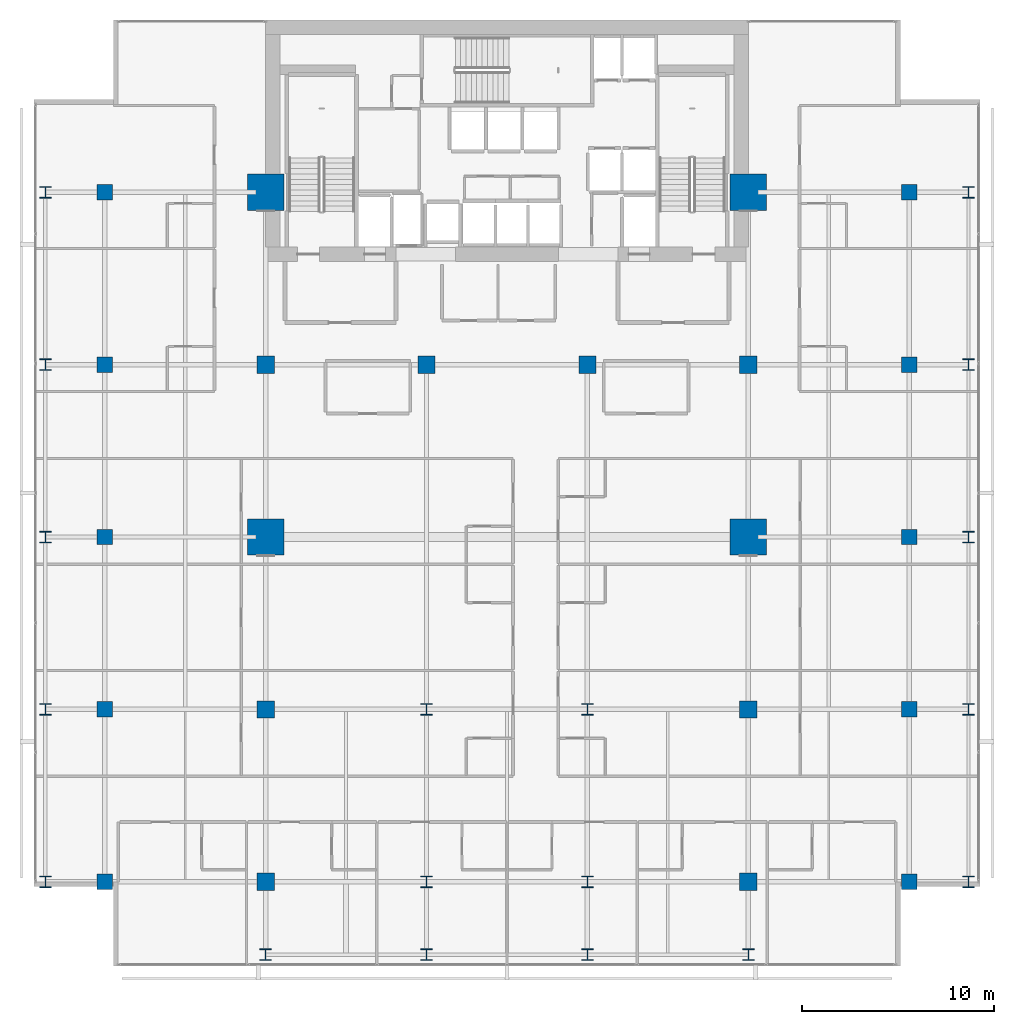
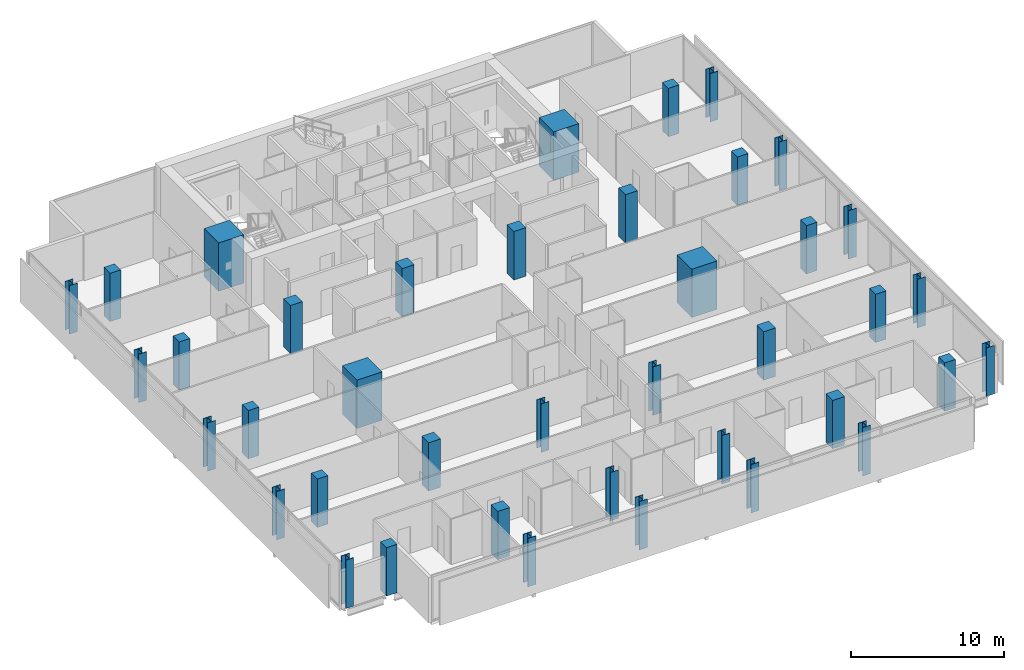
# One storey, part 1 of 33: 40 columns.
"""IFC4 building model written with IfcOpenShell, lengths in metres."""

import ifcopenshell
import ifcopenshell.guid

model = None  # the IFC model being written
_history = None  # IfcOwnerHistory: only IFC2X3 demands one
_inside = {}  # id of a spatial element -> (the spatial element, [elements in it])
_under = {}  # id of a project, library or spatial element -> (it, [spatial elements below it])
_declared = {}  # id of a project -> (the project, [libraries it declares])
_typed = {}  # id of a type object -> (the type object, [elements of that type])
_made_of = {}  # id of a material, layer set ... -> (it, [elements and type objects made of it])


def new_model(schema):
    """Start an empty IFC model of exactly this schema.

    Asked for "IFC4X3", IfcOpenShell would pick the latest addendum, in which some entities
    have other attributes; the version numbers below select the first issue.
    IFC2X3 requires an IfcOwnerHistory on every rooted entity: one is made here for all.
    """
    global model, _history
    if schema == "IFC4X3":
        model = ifcopenshell.file(schema_version=(4, 3, 0, 0))
    else:
        model = ifcopenshell.file(schema=schema)
    _inside.clear()
    _under.clear()
    _declared.clear()
    _typed.clear()
    _made_of.clear()
    _history = None
    if model.schema == "IFC2X3":
        org = make("IfcOrganization", Name="unknown")
        user = make(
            "IfcPersonAndOrganization",
            ThePerson=make("IfcPerson", FamilyName="unknown"),
            TheOrganization=org,
        )
        app = make(
            "IfcApplication",
            ApplicationDeveloper=org,
            Version="unknown",
            ApplicationFullName="unknown",
            ApplicationIdentifier="unknown",
        )
        _history = make(
            "IfcOwnerHistory",
            OwningUser=user,
            OwningApplication=app,
            ChangeAction="ADDED",
            CreationDate=0,
        )
    return model


def make(cls, **values):
    """One entity of the class cls with the attributes given. An attribute that is None is left unset."""
    return model.create_entity(
        cls, **{name: value for name, value in values.items() if value is not None}
    )


def rooted(cls, **values):
    """An entity with a GlobalId (a new one), such as an element, a storey or a relation."""
    return make(cls, GlobalId=ifcopenshell.guid.new(), OwnerHistory=_history, **values)


def si_unit(unit_type, name, prefix=None):
    """IfcSIUnit, for example si_unit("LENGTHUNIT", "METRE", prefix="MILLI")."""
    return make("IfcSIUnit", UnitType=unit_type, Prefix=prefix, Name=name)


def assignment(units):
    """IfcUnitAssignment: the units of a project."""
    return None if units is None else make("IfcUnitAssignment", Units=units)


def point(xyz):
    """IfcCartesianPoint."""
    return None if xyz is None else make("IfcCartesianPoint", Coordinates=xyz)


def direction(xyz):
    """IfcDirection."""
    return None if xyz is None else make("IfcDirection", DirectionRatios=xyz)


def frame(location, z_axis=None, x_axis=None):
    """IfcAxis2Placement3D, a coordinate frame: its origin and axes. An axis left out is left unset."""
    return make(
        "IfcAxis2Placement3D",
        Location=point(location),
        Axis=direction(z_axis),
        RefDirection=direction(x_axis),
    )


def frame_2d(location, x_axis=None):
    """IfcAxis2Placement2D, a coordinate frame in the plane: its origin and x axis."""
    return make(
        "IfcAxis2Placement2D", Location=point(location), RefDirection=direction(x_axis)
    )


def origin():
    """The frame at (0, 0, 0) with its axes left unset."""
    return frame((0.0, 0.0, 0.0))


def origin_2d():
    """The frame at (0, 0) in the plane with its x axis left unset."""
    return frame_2d((0.0, 0.0))


def place(relative_to, where):
    """IfcLocalPlacement: puts the frame where relative to a parent placement (None: the world)."""
    return make(
        "IfcLocalPlacement", PlacementRelTo=relative_to, RelativePlacement=where
    )


def context(
    kind, dimensions, precision=None, world=None, true_north=None, identifier=None
):
    """IfcGeometricRepresentationContext, for example the 3D "Model" context."""
    return make(
        "IfcGeometricRepresentationContext",
        ContextIdentifier=identifier,
        ContextType=kind,
        CoordinateSpaceDimension=dimensions,
        Precision=precision,
        WorldCoordinateSystem=world,
        TrueNorth=true_north,
    )


def subcontext(parent, identifier, kind, view, scale=None):
    """IfcGeometricRepresentationSubContext, for example "Body" below "Model"."""
    return make(
        "IfcGeometricRepresentationSubContext",
        ContextIdentifier=identifier,
        ContextType=kind,
        ParentContext=parent,
        TargetScale=scale,
        TargetView=view,
    )


def project(units=None, contexts=None):
    """IfcProject with its units and contexts."""
    return rooted(
        "IfcProject",
        Name="project",
        RepresentationContexts=contexts,
        UnitsInContext=assignment(units),
    )


def spatial(cls, under=None, at=None, **own):
    """A site, building, storey or space (cls), placed at a placement, below another one or the project."""
    s = rooted(cls, ObjectPlacement=at, **own)
    if under is not None:
        _under.setdefault(under.id(), (under, []))[1].append(s)
    return s


def profile(cls, at=None, kind="AREA", **sizes):
    """A parametric profile (cls). Its sizes go by their IFC names, for example OverallWidth=200.0."""
    return make(cls, ProfileType=kind, Position=at, **sizes)


def rectangle(**sizes):
    """IfcRectangleProfileDef."""
    return profile("IfcRectangleProfileDef", **sizes)


def i_section(**sizes):
    """IfcIShapeProfileDef."""
    return profile("IfcIShapeProfileDef", **sizes)


def extrude(swept, where, along, depth):
    """IfcExtrudedAreaSolid: the profile swept, set in the frame where, extruded along a direction by depth."""
    return make(
        "IfcExtrudedAreaSolid",
        SweptArea=swept,
        Position=where,
        ExtrudedDirection=direction(along),
        Depth=depth,
    )


def shape(context_of_items, identifier, shape_type, items):
    """IfcShapeRepresentation: the items that make up one representation, for example the "Body"."""
    return make(
        "IfcShapeRepresentation",
        ContextOfItems=context_of_items,
        RepresentationIdentifier=identifier,
        RepresentationType=shape_type,
        Items=items,
    )


def material(Name=None, Category=None):
    """IfcMaterial."""
    return make("IfcMaterial", Name=Name, Category=Category)


def material_profile(
    of_material, cross_section, Name=None, Category=None, Priority=None
):
    """IfcMaterialProfile: a cross section and its material."""
    return make(
        "IfcMaterialProfile",
        Name=Name,
        Material=of_material,
        Profile=cross_section,
        Priority=Priority,
        Category=Category,
    )


def profile_set(profiles, Name=None, composite=None):
    """IfcMaterialProfileSet."""
    return make(
        "IfcMaterialProfileSet",
        Name=Name,
        MaterialProfiles=profiles,
        CompositeProfile=composite,
    )


def made_of(thing, what):
    """Note that an element or type object is made of a material, layer set ...; save() writes the relation."""
    if what is not None:
        _made_of.setdefault(what.id(), (what, []))[1].append(thing)
    return thing


def type_object(cls, material=None, **own):
    """A type object (cls), such as IfcWallType, which elements share."""
    return made_of(rooted(cls, **own), material)


def element(
    cls,
    number,
    at=None,
    inside=None,
    cuts=None,
    type_object=None,
    material=None,
    context=None,
    identifier="Body",
    shape_type=None,
    held_by="IfcProductDefinitionShape",
    body=None,
    shapes=None,
    **own,
):
    """One element of the class cls, such as IfcWall. Its Tag is "e" and its number.

    at: its placement. inside: the storey or other place that contains it. cuts: it is an
    opening in that element (IfcRelVoidsElement). A single representation is given by context,
    identifier, shape_type and body (its items); several are given by shapes. held_by: the class
    of the entity that holds the representations. save() writes the other relations.
    """
    e = rooted(cls, Tag="e%d" % number, ObjectPlacement=at, **own)
    if body is not None:
        shapes = [shape(context, identifier, shape_type, body)]
    if shapes is not None:
        e.Representation = make(held_by, Representations=shapes)
    if inside is not None:
        _inside.setdefault(inside.id(), (inside, []))[1].append(e)
    if cuts is not None:
        rooted(
            "IfcRelVoidsElement", RelatingBuildingElement=cuts, RelatedOpeningElement=e
        )
    if type_object is not None:
        _typed.setdefault(type_object.id(), (type_object, []))[1].append(e)
    return made_of(e, material)


def aggregate(whole, parts):
    """IfcRelAggregates: a whole, such as a stair, and the parts it consists of."""
    return rooted("IfcRelAggregates", RelatingObject=whole, RelatedObjects=parts)


def save(model, path):
    """Write the relations noted so far, then the file.

    IfcRelAggregates (storeys below a building ...), IfcRelContainedInSpatialStructure (elements
    in a storey), IfcRelDefinesByType, IfcRelAssociatesMaterial and IfcRelDeclares: one each for
    every whole, place, type object, material and project.
    """
    for whole, parts in _under.values():
        aggregate(whole, parts)
    for where, things in _inside.values():
        rooted(
            "IfcRelContainedInSpatialStructure",
            RelatedElements=things,
            RelatingStructure=where,
        )
    for kind, things in _typed.values():
        rooted("IfcRelDefinesByType", RelatedObjects=things, RelatingType=kind)
    for what, things in _made_of.values():
        rooted("IfcRelAssociatesMaterial", RelatedObjects=things, RelatingMaterial=what)
    for by, libraries in _declared.values():
        rooted("IfcRelDeclares", RelatingContext=by, RelatedDefinitions=libraries)
    model.write(path)


model = new_model("IFC4")

# Units and contexts
model_context = context("Model", 3, precision=1e-05, world=origin(), true_north=direction((0.0, 1.0)))
body_context = subcontext(model_context, "Body", "Model", "MODEL_VIEW")
ifc_project = project(units=[si_unit("LENGTHUNIT", "METRE"), si_unit("AREAUNIT", "SQUARE_METRE"), si_unit("VOLUMEUNIT", "CUBIC_METRE"), si_unit("PLANEANGLEUNIT", "RADIAN"), si_unit("MASSUNIT", "GRAM", prefix="KILO")], contexts=[model_context])

# Site, building, storey
site_placement = place(None, origin())
site = spatial("IfcSite", under=ifc_project, at=site_placement, CompositionType="ELEMENT")
building_placement = place(site_placement, origin())
building = spatial("IfcBuilding", under=site, at=building_placement, Name="Maruvema Waterfront Hotel and Observation Tower", CompositionType="ELEMENT")
storey_placement = place(building_placement, frame((0.0, 0.0, 158.199951171875)))
storey = spatial("IfcBuildingStorey", under=building, at=storey_placement, Name="L38", CompositionType="ELEMENT", Elevation=158.199951171875)

# Columns
ifc_material_1 = material(Name="Concrete C80/95", Category="concrete")
ifc_material_profile_1 = material_profile(ifc_material_1, rectangle(XDim=1.89990234375, YDim=1.89990234375, at=origin_2d()), Name="MC1900x1900")
ifc_profile_set_1 = profile_set([ifc_material_profile_1], Name="Concrete C80/95")
column_type_1 = type_object("IfcColumnType", Name="Continuous Mega-Column MC1900x1900", PredefinedType="COLUMN", material=ifc_profile_set_1)
for number, where, z_axis, x_axis, name in (
    (1, (25.199951171875, 27.0, 0.0), (0.0, 0.0, 1.0), (1.0, 0.0, 0.0), "L38 Continuous Mega-Column MC-01"),
    (2, (50.39990234375, 27.0, 0.0), (0.0, 0.0, 1.0), (1.0, 0.0, 0.0), "L38 Continuous Mega-Column MC-02"),
    (3, (25.199951171875, 45.0, 0.0), (0.0, 0.0, 1.0), (1.0, 0.0, 0.0), "L38 Continuous Mega-Column MC-03"),
    (4, (50.39990234375, 45.0, 0.0), (0.0, 0.0, 1.0), (1.0, 0.0, 0.0), "L38 Continuous Mega-Column MC-04"),
):
    element("IfcColumn", number, at=place(storey_placement, frame(where, z_axis=z_axis, x_axis=x_axis)), inside=storey, type_object=column_type_1, Name=name, PredefinedType="COLUMN", context=body_context, shape_type="SweptSolid", body=[
        extrude(rectangle(XDim=1.89990234375, YDim=1.89990234375, at=origin_2d()), origin(), (0.0, 0.0, 1.0), 3.85009765625),
    ])
ifc_material_2 = material(Name="Concrete C60/75", Category="concrete")
ifc_material_profile_2 = material_profile(ifc_material_2, rectangle(XDim=0.800048828125, YDim=0.800048828125, at=origin_2d()), Name="RC800x800")
ifc_profile_set_2 = profile_set([ifc_material_profile_2], Name="Concrete C60/75")
column_type_2 = type_object("IfcColumnType", Name="Reinforced Concrete Column RC800x800", PredefinedType="COLUMN", material=ifc_profile_set_2)
for number, where, z_axis, x_axis, name in (
    (5, (16.800048828125, 9.0, 0.0), (0.0, 0.0, 1.0), (1.0, 0.0, 0.0), "L38 Column C-3Y9"),
    (6, (58.800048828125, 9.0, 0.0), (0.0, 0.0, 1.0), (1.0, 0.0, 0.0), "L38 Column C-8Y9"),
    (7, (16.800048828125, 18.0, 0.0), (0.0, 0.0, 1.0), (1.0, 0.0, 0.0), "L38 Column C-3Y18"),
    (8, (58.800048828125, 18.0, 0.0), (0.0, 0.0, 1.0), (1.0, 0.0, 0.0), "L38 Column C-8Y18"),
    (9, (16.800048828125, 27.0, 0.0), (0.0, 0.0, 1.0), (1.0, 0.0, 0.0), "L38 Column C-3Y27"),
    (10, (58.800048828125, 27.0, 0.0), (0.0, 0.0, 1.0), (1.0, 0.0, 0.0), "L38 Column C-8Y27"),
    (11, (16.800048828125, 36.0, 0.0), (0.0, 0.0, 1.0), (1.0, 0.0, 0.0), "L38 Column C-3Y36"),
    (12, (58.800048828125, 36.0, 0.0), (0.0, 0.0, 1.0), (1.0, 0.0, 0.0), "L38 Column C-8Y36"),
    (13, (16.800048828125, 45.0, 0.0), (0.0, 0.0, 1.0), (1.0, 0.0, 0.0), "L38 Column C-3Y45"),
    (14, (58.800048828125, 45.0, 0.0), (0.0, 0.0, 1.0), (1.0, 0.0, 0.0), "L38 Column C-8Y45"),
):
    element("IfcColumn", number, at=place(storey_placement, frame(where, z_axis=z_axis, x_axis=x_axis)), inside=storey, type_object=column_type_2, Name=name, PredefinedType="COLUMN", context=body_context, shape_type="SweptSolid", body=[
        extrude(rectangle(XDim=0.800048828125, YDim=0.800048828125, at=origin_2d()), origin(), (0.0, 0.0, 1.0), 3.85009765625),
    ])
ifc_material_3 = material(Name="Concrete C60/75", Category="concrete")
ifc_material_profile_3 = material_profile(ifc_material_3, rectangle(XDim=0.89990234375, YDim=0.89990234375, at=origin_2d()), Name="RC900x900")
ifc_profile_set_3 = profile_set([ifc_material_profile_3], Name="Concrete C60/75")
column_type_3 = type_object("IfcColumnType", Name="Reinforced Concrete Column RC900x900", PredefinedType="COLUMN", material=ifc_profile_set_3)
for number, where, z_axis, x_axis, name in (
    (15, (25.199951171875, 36.0, 0.0), (0.0, 0.0, 1.0), (1.0, 0.0, 0.0), "L38 Column C-4E"),
    (16, (33.60009765625, 36.0, 0.0), (0.0, 0.0, 1.0), (1.0, 0.0, 0.0), "L38 Column C-5E"),
    (17, (42.0, 36.0, 0.0), (0.0, 0.0, 1.0), (1.0, 0.0, 0.0), "L38 Column C-6E"),
    (18, (50.39990234375, 36.0, 0.0), (0.0, 0.0, 1.0), (1.0, 0.0, 0.0), "L38 Column C-7E"),
    (19, (25.199951171875, 18.0, 0.0), (0.0, 0.0, 1.0), (1.0, 0.0, 0.0), "L38 Column C-4C"),
    (20, (50.39990234375, 18.0, 0.0), (0.0, 0.0, 1.0), (1.0, 0.0, 0.0), "L38 Column C-7C"),
    (21, (25.199951171875, 9.0, 0.0), (0.0, 0.0, 1.0), (1.0, 0.0, 0.0), "L38 Column C-4B"),
    (22, (50.39990234375, 9.0, 0.0), (0.0, 0.0, 1.0), (1.0, 0.0, 0.0), "L38 Column C-7B"),
):
    element("IfcColumn", number, at=place(storey_placement, frame(where, z_axis=z_axis, x_axis=x_axis)), inside=storey, type_object=column_type_3, Name=name, PredefinedType="COLUMN", context=body_context, shape_type="SweptSolid", body=[
        extrude(rectangle(XDim=0.89990234375, YDim=0.89990234375, at=origin_2d()), origin(), (0.0, 0.0, 1.0), 3.85009765625),
    ])
ifc_material_4 = material(Name="Steel ABNT NBR 7007 AR 415 (ASTM A572 Grade 50)", Category="steel")
ifc_material_profile_4 = material_profile(ifc_material_4, i_section(OverallWidth=0.60009765625, OverallDepth=0.60009765625, WebThickness=0.02490234375, FlangeThickness=0.0380859375, at=origin_2d()), Name="CVS600x317")
ifc_profile_set_4 = profile_set([ifc_material_profile_4], Name="Steel ABNT NBR 7007 AR 415 (ASTM A572 Grade 50)")
column_type_4 = type_object("IfcColumnType", Name="Structural Steel Column CVS600x317", PredefinedType="COLUMN", material=ifc_profile_set_4)
for number, where, z_axis, x_axis, name in (
    (23, (33.60009765625, 9.0, 0.0), (0.0, 0.0, 1.0), (1.0, 0.0, 0.0), "L38 Column C-5B"),
    (24, (42.0, 9.0, 0.0), (0.0, 0.0, 1.0), (1.0, 0.0, 0.0), "L38 Column C-6B"),
    (25, (33.60009765625, 18.0, 0.0), (0.0, 0.0, 1.0), (1.0, 0.0, 0.0), "L38 Column C-5C"),
    (26, (42.0, 18.0, 0.0), (0.0, 0.0, 1.0), (1.0, 0.0, 0.0), "L38 Column C-6C"),
    (27, (13.699951171875, 9.0, 0.0), (0.0, 0.0, 1.0), (1.0, 0.0, 0.0), "L38 Column C-Z2W9"),
    (28, (61.89990234375, 9.0, 0.0), (0.0, 0.0, 1.0), (1.0, 0.0, 0.0), "L38 Column C-Z2E9"),
    (29, (13.699951171875, 18.0, 0.0), (0.0, 0.0, 1.0), (1.0, 0.0, 0.0), "L38 Column C-Z2W18"),
    (30, (61.89990234375, 18.0, 0.0), (0.0, 0.0, 1.0), (1.0, 0.0, 0.0), "L38 Column C-Z2E18"),
    (31, (13.699951171875, 27.0, 0.0), (0.0, 0.0, 1.0), (1.0, 0.0, 0.0), "L38 Column C-Z2W27"),
    (32, (61.89990234375, 27.0, 0.0), (0.0, 0.0, 1.0), (1.0, 0.0, 0.0), "L38 Column C-Z2E27"),
    (33, (13.699951171875, 36.0, 0.0), (0.0, 0.0, 1.0), (1.0, 0.0, 0.0), "L38 Column C-Z2W36"),
    (34, (61.89990234375, 36.0, 0.0), (0.0, 0.0, 1.0), (1.0, 0.0, 0.0), "L38 Column C-Z2E36"),
    (35, (13.699951171875, 45.0, 0.0), (0.0, 0.0, 1.0), (1.0, 0.0, 0.0), "L38 Column C-Z2W45"),
    (36, (61.89990234375, 45.0, 0.0), (0.0, 0.0, 1.0), (1.0, 0.0, 0.0), "L38 Column C-Z2E45"),
    (37, (25.199951171875, 5.199951171875, 0.0), (0.0, 0.0, 1.0), (1.0, 0.0, 0.0), "L38 Column C-Z2S4"),
    (38, (33.60009765625, 5.199951171875, 0.0), (0.0, 0.0, 1.0), (1.0, 0.0, 0.0), "L38 Column C-Z2S5"),
    (39, (42.0, 5.199951171875, 0.0), (0.0, 0.0, 1.0), (1.0, 0.0, 0.0), "L38 Column C-Z2S6"),
    (40, (50.39990234375, 5.199951171875, 0.0), (0.0, 0.0, 1.0), (1.0, 0.0, 0.0), "L38 Column C-Z2S7"),
):
    element("IfcColumn", number, at=place(storey_placement, frame(where, z_axis=z_axis, x_axis=x_axis)), inside=storey, type_object=column_type_4, Name=name, PredefinedType="COLUMN", context=body_context, shape_type="SweptSolid", body=[
        extrude(i_section(OverallWidth=0.60009765625, OverallDepth=0.60009765625, WebThickness=0.02490234375, FlangeThickness=0.0380859375, at=origin_2d()), origin(), (0.0, 0.0, 1.0), 3.85009765625),
    ])

save(model, "model.ifc")
